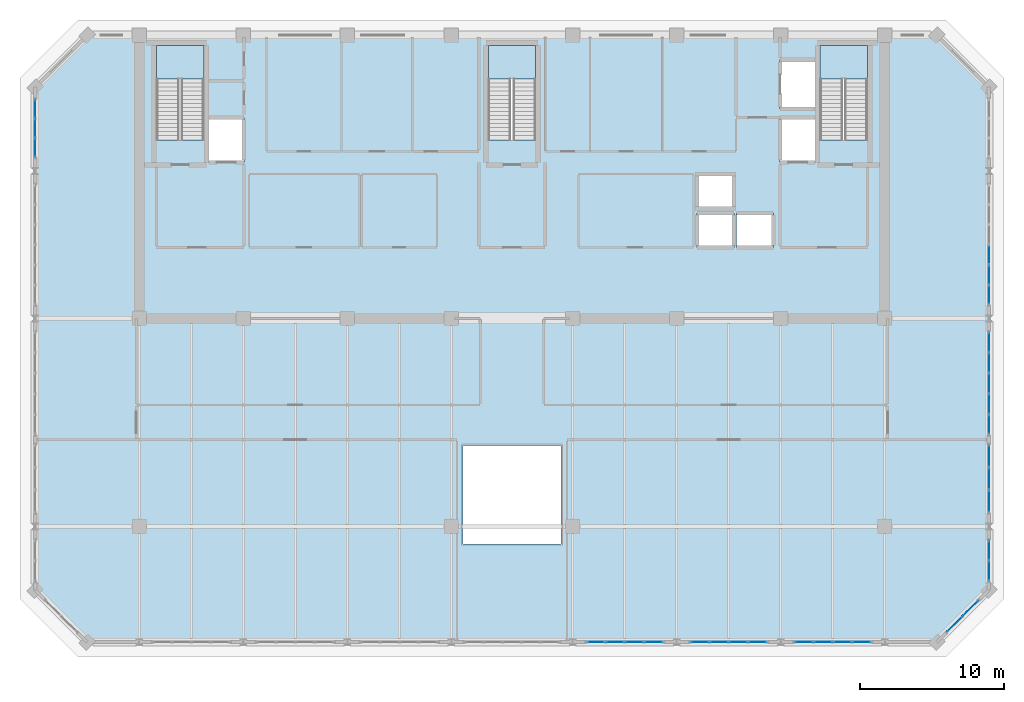
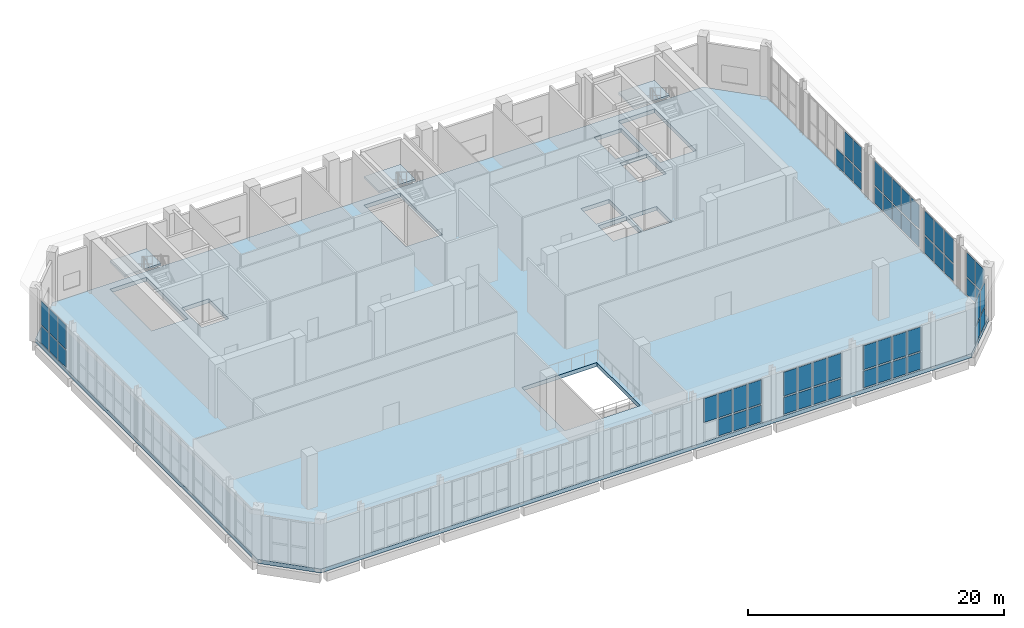
# One storey, part 18 of 26: 58 plates, 4 slabs, 12 elements without a shape of their own.
"""IFC4 building model written with IfcOpenShell, lengths in metres."""

from ifc_helpers import new_model, si_unit, direction, frame, origin, origin_2d, place, context, subcontext, project, spatial, polyline, rectangle, outline, extrude, material, layer, layer_set, type_object, element, aggregate, save


model = new_model("IFC4")

# Units and contexts
model_context = context("Model", 3, precision=1e-05, world=origin(), true_north=direction((0.0, 1.0)))
body_context = subcontext(model_context, "Body", "Model", "MODEL_VIEW")
ifc_project = project(units=[si_unit("LENGTHUNIT", "METRE"), si_unit("AREAUNIT", "SQUARE_METRE"), si_unit("VOLUMEUNIT", "CUBIC_METRE"), si_unit("PLANEANGLEUNIT", "RADIAN"), si_unit("MASSUNIT", "GRAM", prefix="KILO")], contexts=[model_context])

# Site, building, storey
site_placement = place(None, origin())
site = spatial("IfcSite", under=ifc_project, at=site_placement, CompositionType="ELEMENT")
building_placement = place(site_placement, origin())
building = spatial("IfcBuilding", under=site, at=building_placement, Name="Kaelvorn Grand Hotel", CompositionType="ELEMENT")
storey_placement = place(building_placement, frame((0.0, 0.0, 300.199951171875)))
storey = spatial("IfcBuildingStorey", under=building, at=storey_placement, Name="L73", CompositionType="ELEMENT", Elevation=300.199951171875)

# Curtain wall, plates
ifc_material_1 = material(Name="Anodised Aluminium", Category="aluminium")
ifc_layer_1 = layer(ifc_material_1, 0.239990234375)
ifc_layer_set_1 = layer_set([ifc_layer_1], Name="Anodised Aluminium")
curtain_wall_type = type_object("IfcCurtainWallType", Name="CW-SYS5", PredefinedType="NOTDEFINED", material=ifc_layer_set_1)
curtain_wall_1_placement = place(storey_placement, origin())
curtain_wall_1 = element("IfcCurtainWall", 1, at=curtain_wall_1_placement, inside=storey, type_object=curtain_wall_type, Name="L73 Unitised Curtain Wall CW5 (CW-L73-S-05)", PredefinedType="NOTDEFINED")
ifc_material_2 = material(Name="Laminated Low-E Glass", Category="glass")
ifc_layer_2 = layer(ifc_material_2, 0.0380859375)
ifc_layer_set_2 = layer_set([ifc_layer_2], Name="Laminated Low-E Glass")
plate_type = type_object("IfcPlateType", Name="CW-SYS5-PAN", PredefinedType="CURTAIN_PANEL", material=ifc_layer_set_2)
plate_1_placement = place(storey_placement, frame((47.81005859375, 7.0, 1.8896484375), z_axis=(0.0, 0.0, 1.0), x_axis=(1.0, 0.0, 0.0)))
plate_1 = element("IfcPlate", 2, at=plate_1_placement, type_object=plate_type, Name="CW5 panel 1.2", PredefinedType="CURTAIN_PANEL", context=body_context, shape_type="SweptSolid", body=[
    extrude(rectangle(XDim=1.219970703125, YDim=0.0380859375, at=origin_2d()), origin(), (0.0, 0.0, 1.0), 2.280517578125),
])
plate_2_placement = place(storey_placement, frame((49.1298828125, 7.0, 0.150146484375), z_axis=(0.0, 0.0, 1.0), x_axis=(1.0, 0.0, 0.0)))
plate_2 = element("IfcPlate", 3, at=plate_2_placement, type_object=plate_type, Name="CW5 panel 2.1", PredefinedType="CURTAIN_PANEL", context=body_context, shape_type="SweptSolid", body=[
    extrude(rectangle(XDim=1.260009765625, YDim=0.0380859375, at=origin_2d()), origin(), (0.0, 0.0, 1.0), 1.58935546875),
])
plate_3_placement = place(storey_placement, frame((49.1298828125, 7.0, 1.8896484375), z_axis=(0.0, 0.0, 1.0), x_axis=(1.0, 0.0, 0.0)))
plate_3 = element("IfcPlate", 4, at=plate_3_placement, type_object=plate_type, Name="CW5 panel 2.2", PredefinedType="CURTAIN_PANEL", context=body_context, shape_type="SweptSolid", body=[
    extrude(rectangle(XDim=1.260009765625, YDim=0.0380859375, at=origin_2d()), origin(), (0.0, 0.0, 1.0), 2.280517578125),
])
plate_4_placement = place(storey_placement, frame((50.469970703125, 7.0, 0.150146484375), z_axis=(0.0, 0.0, 1.0), x_axis=(1.0, 0.0, 0.0)))
plate_4 = element("IfcPlate", 5, at=plate_4_placement, type_object=plate_type, Name="CW5 panel 3.1", PredefinedType="CURTAIN_PANEL", context=body_context, shape_type="SweptSolid", body=[
    extrude(rectangle(XDim=1.260009765625, YDim=0.0380859375, at=origin_2d()), origin(), (0.0, 0.0, 1.0), 1.58935546875),
])
plate_5_placement = place(storey_placement, frame((50.469970703125, 7.0, 1.8896484375), z_axis=(0.0, 0.0, 1.0), x_axis=(1.0, 0.0, 0.0)))
plate_5 = element("IfcPlate", 6, at=plate_5_placement, type_object=plate_type, Name="CW5 panel 3.2", PredefinedType="CURTAIN_PANEL", context=body_context, shape_type="SweptSolid", body=[
    extrude(rectangle(XDim=1.260009765625, YDim=0.0380859375, at=origin_2d()), origin(), (0.0, 0.0, 1.0), 2.280517578125),
])
plate_6_placement = place(storey_placement, frame((51.7900390625, 7.0, 0.150146484375), z_axis=(0.0, 0.0, 1.0), x_axis=(1.0, 0.0, 0.0)))
plate_6 = element("IfcPlate", 7, at=plate_6_placement, type_object=plate_type, Name="CW5 panel 4.1", PredefinedType="CURTAIN_PANEL", context=body_context, shape_type="SweptSolid", body=[
    extrude(rectangle(XDim=1.219970703125, YDim=0.0380859375, at=origin_2d()), origin(), (0.0, 0.0, 1.0), 1.58935546875),
])
plate_7_placement = place(storey_placement, frame((51.7900390625, 7.0, 1.8896484375), z_axis=(0.0, 0.0, 1.0), x_axis=(1.0, 0.0, 0.0)))
plate_7 = element("IfcPlate", 8, at=plate_7_placement, type_object=plate_type, Name="CW5 panel 4.2", PredefinedType="CURTAIN_PANEL", context=body_context, shape_type="SweptSolid", body=[
    extrude(rectangle(XDim=1.219970703125, YDim=0.0380859375, at=origin_2d()), origin(), (0.0, 0.0, 1.0), 2.280517578125),
])
aggregate(curtain_wall_1, [plate_1, plate_2, plate_3, plate_4, plate_5, plate_6, plate_7])

curtain_wall_2_placement = place(storey_placement, origin())
curtain_wall_2 = element("IfcCurtainWall", 9, at=curtain_wall_2_placement, inside=storey, type_object=curtain_wall_type, Name="L73 Unitised Curtain Wall CW5 (CW-L73-S-06)", PredefinedType="NOTDEFINED")
plate_8_placement = place(storey_placement, frame((55.010009765625, 7.0, 0.150146484375), z_axis=(0.0, 0.0, 1.0), x_axis=(1.0, 0.0, 0.0)))
plate_8 = element("IfcPlate", 10, at=plate_8_placement, type_object=plate_type, Name="CW5 panel 1.1", PredefinedType="CURTAIN_PANEL", context=body_context, shape_type="SweptSolid", body=[
    extrude(rectangle(XDim=1.219970703125, YDim=0.0380859375, at=origin_2d()), origin(), (0.0, 0.0, 1.0), 1.58935546875),
])
plate_9_placement = place(storey_placement, frame((55.010009765625, 7.0, 1.8896484375), z_axis=(0.0, 0.0, 1.0), x_axis=(1.0, 0.0, 0.0)))
plate_9 = element("IfcPlate", 11, at=plate_9_placement, type_object=plate_type, Name="CW5 panel 1.2", PredefinedType="CURTAIN_PANEL", context=body_context, shape_type="SweptSolid", body=[
    extrude(rectangle(XDim=1.219970703125, YDim=0.0380859375, at=origin_2d()), origin(), (0.0, 0.0, 1.0), 2.280517578125),
])
plate_10_placement = place(storey_placement, frame((56.330078125, 7.0, 0.150146484375), z_axis=(0.0, 0.0, 1.0), x_axis=(1.0, 0.0, 0.0)))
plate_10 = element("IfcPlate", 12, at=plate_10_placement, type_object=plate_type, Name="CW5 panel 2.1", PredefinedType="CURTAIN_PANEL", context=body_context, shape_type="SweptSolid", body=[
    extrude(rectangle(XDim=1.260009765625, YDim=0.0380859375, at=origin_2d()), origin(), (0.0, 0.0, 1.0), 1.58935546875),
])
plate_11_placement = place(storey_placement, frame((56.330078125, 7.0, 1.8896484375), z_axis=(0.0, 0.0, 1.0), x_axis=(1.0, 0.0, 0.0)))
plate_11 = element("IfcPlate", 13, at=plate_11_placement, type_object=plate_type, Name="CW5 panel 2.2", PredefinedType="CURTAIN_PANEL", context=body_context, shape_type="SweptSolid", body=[
    extrude(rectangle(XDim=1.260009765625, YDim=0.0380859375, at=origin_2d()), origin(), (0.0, 0.0, 1.0), 2.280517578125),
])
plate_12_placement = place(storey_placement, frame((57.669921875, 7.0, 0.150146484375), z_axis=(0.0, 0.0, 1.0), x_axis=(1.0, 0.0, 0.0)))
plate_12 = element("IfcPlate", 14, at=plate_12_placement, type_object=plate_type, Name="CW5 panel 3.1", PredefinedType="CURTAIN_PANEL", context=body_context, shape_type="SweptSolid", body=[
    extrude(rectangle(XDim=1.260009765625, YDim=0.0380859375, at=origin_2d()), origin(), (0.0, 0.0, 1.0), 1.58935546875),
])
plate_13_placement = place(storey_placement, frame((57.669921875, 7.0, 1.8896484375), z_axis=(0.0, 0.0, 1.0), x_axis=(1.0, 0.0, 0.0)))
plate_13 = element("IfcPlate", 15, at=plate_13_placement, type_object=plate_type, Name="CW5 panel 3.2", PredefinedType="CURTAIN_PANEL", context=body_context, shape_type="SweptSolid", body=[
    extrude(rectangle(XDim=1.260009765625, YDim=0.0380859375, at=origin_2d()), origin(), (0.0, 0.0, 1.0), 2.280517578125),
])
plate_14_placement = place(storey_placement, frame((58.989990234375, 7.0, 0.150146484375), z_axis=(0.0, 0.0, 1.0), x_axis=(1.0, 0.0, 0.0)))
plate_14 = element("IfcPlate", 16, at=plate_14_placement, type_object=plate_type, Name="CW5 panel 4.1", PredefinedType="CURTAIN_PANEL", context=body_context, shape_type="SweptSolid", body=[
    extrude(rectangle(XDim=1.219970703125, YDim=0.0380859375, at=origin_2d()), origin(), (0.0, 0.0, 1.0), 1.58935546875),
])
plate_15_placement = place(storey_placement, frame((58.989990234375, 7.0, 1.8896484375), z_axis=(0.0, 0.0, 1.0), x_axis=(1.0, 0.0, 0.0)))
plate_15 = element("IfcPlate", 17, at=plate_15_placement, type_object=plate_type, Name="CW5 panel 4.2", PredefinedType="CURTAIN_PANEL", context=body_context, shape_type="SweptSolid", body=[
    extrude(rectangle(XDim=1.219970703125, YDim=0.0380859375, at=origin_2d()), origin(), (0.0, 0.0, 1.0), 2.280517578125),
])
aggregate(curtain_wall_2, [plate_8, plate_9, plate_10, plate_11, plate_12, plate_13, plate_14, plate_15])

curtain_wall_3_placement = place(storey_placement, origin())
curtain_wall_3 = element("IfcCurtainWall", 18, at=curtain_wall_3_placement, inside=storey, type_object=curtain_wall_type, Name="L73 Unitised Curtain Wall CW5 (CW-L73-S-07)", PredefinedType="NOTDEFINED")
plate_16_placement = place(storey_placement, frame((62.2099609375, 7.0, 0.150146484375), z_axis=(0.0, 0.0, 1.0), x_axis=(1.0, 0.0, 0.0)))
plate_16 = element("IfcPlate", 19, at=plate_16_placement, type_object=plate_type, Name="CW5 panel 1.1", PredefinedType="CURTAIN_PANEL", context=body_context, shape_type="SweptSolid", body=[
    extrude(rectangle(XDim=1.219970703125, YDim=0.0380859375, at=origin_2d()), origin(), (0.0, 0.0, 1.0), 1.58935546875),
])
plate_17_placement = place(storey_placement, frame((62.2099609375, 7.0, 1.8896484375), z_axis=(0.0, 0.0, 1.0), x_axis=(1.0, 0.0, 0.0)))
plate_17 = element("IfcPlate", 20, at=plate_17_placement, type_object=plate_type, Name="CW5 panel 1.2", PredefinedType="CURTAIN_PANEL", context=body_context, shape_type="SweptSolid", body=[
    extrude(rectangle(XDim=1.219970703125, YDim=0.0380859375, at=origin_2d()), origin(), (0.0, 0.0, 1.0), 2.280517578125),
])
plate_18_placement = place(storey_placement, frame((63.530029296875, 7.0, 0.150146484375), z_axis=(0.0, 0.0, 1.0), x_axis=(1.0, 0.0, 0.0)))
plate_18 = element("IfcPlate", 21, at=plate_18_placement, type_object=plate_type, Name="CW5 panel 2.1", PredefinedType="CURTAIN_PANEL", context=body_context, shape_type="SweptSolid", body=[
    extrude(rectangle(XDim=1.260009765625, YDim=0.0380859375, at=origin_2d()), origin(), (0.0, 0.0, 1.0), 1.58935546875),
])
plate_19_placement = place(storey_placement, frame((63.530029296875, 7.0, 1.8896484375), z_axis=(0.0, 0.0, 1.0), x_axis=(1.0, 0.0, 0.0)))
plate_19 = element("IfcPlate", 22, at=plate_19_placement, type_object=plate_type, Name="CW5 panel 2.2", PredefinedType="CURTAIN_PANEL", context=body_context, shape_type="SweptSolid", body=[
    extrude(rectangle(XDim=1.260009765625, YDim=0.0380859375, at=origin_2d()), origin(), (0.0, 0.0, 1.0), 2.280517578125),
])
plate_20_placement = place(storey_placement, frame((64.8701171875, 7.0, 0.150146484375), z_axis=(0.0, 0.0, 1.0), x_axis=(1.0, 0.0, 0.0)))
plate_20 = element("IfcPlate", 23, at=plate_20_placement, type_object=plate_type, Name="CW5 panel 3.1", PredefinedType="CURTAIN_PANEL", context=body_context, shape_type="SweptSolid", body=[
    extrude(rectangle(XDim=1.260009765625, YDim=0.0380859375, at=origin_2d()), origin(), (0.0, 0.0, 1.0), 1.58935546875),
])
plate_21_placement = place(storey_placement, frame((64.8701171875, 7.0, 1.8896484375), z_axis=(0.0, 0.0, 1.0), x_axis=(1.0, 0.0, 0.0)))
plate_21 = element("IfcPlate", 24, at=plate_21_placement, type_object=plate_type, Name="CW5 panel 3.2", PredefinedType="CURTAIN_PANEL", context=body_context, shape_type="SweptSolid", body=[
    extrude(rectangle(XDim=1.260009765625, YDim=0.0380859375, at=origin_2d()), origin(), (0.0, 0.0, 1.0), 2.280517578125),
])
plate_22_placement = place(storey_placement, frame((66.18994140625, 7.0, 0.150146484375), z_axis=(0.0, 0.0, 1.0), x_axis=(1.0, 0.0, 0.0)))
plate_22 = element("IfcPlate", 25, at=plate_22_placement, type_object=plate_type, Name="CW5 panel 4.1", PredefinedType="CURTAIN_PANEL", context=body_context, shape_type="SweptSolid", body=[
    extrude(rectangle(XDim=1.219970703125, YDim=0.0380859375, at=origin_2d()), origin(), (0.0, 0.0, 1.0), 1.58935546875),
])
plate_23_placement = place(storey_placement, frame((66.18994140625, 7.0, 1.8896484375), z_axis=(0.0, 0.0, 1.0), x_axis=(1.0, 0.0, 0.0)))
plate_23 = element("IfcPlate", 26, at=plate_23_placement, type_object=plate_type, Name="CW5 panel 4.2", PredefinedType="CURTAIN_PANEL", context=body_context, shape_type="SweptSolid", body=[
    extrude(rectangle(XDim=1.219970703125, YDim=0.0380859375, at=origin_2d()), origin(), (0.0, 0.0, 1.0), 2.280517578125),
])
aggregate(curtain_wall_3, [plate_16, plate_17, plate_18, plate_19, plate_20, plate_21, plate_22, plate_23])

curtain_wall_4_placement = place(storey_placement, origin())
curtain_wall_4 = element("IfcCurtainWall", 27, at=curtain_wall_4_placement, inside=storey, type_object=curtain_wall_type, Name="L73 Unitised Curtain Wall CW5 (CW-L73-SE)", PredefinedType="NOTDEFINED")
plate_24_placement = place(storey_placement, frame((72.66064453125, 8.2607421875, 0.150146484375), z_axis=(0.0, 0.0, 1.0), x_axis=(0.707106781187, 0.707106781187, 0.0)))
plate_24 = element("IfcPlate", 28, at=plate_24_placement, type_object=plate_type, Name="CW5 panel 1.1", PredefinedType="CURTAIN_PANEL", context=body_context, shape_type="SweptSolid", body=[
    extrude(rectangle(XDim=1.445556640625, YDim=0.0380859375, at=origin_2d()), origin(), (0.0, 0.0, 1.0), 1.58935546875),
])
plate_25_placement = place(storey_placement, frame((72.66064453125, 8.2607421875, 1.8896484375), z_axis=(0.0, 0.0, 1.0), x_axis=(0.707106781187, 0.707106781187, 0.0)))
plate_25 = element("IfcPlate", 29, at=plate_25_placement, type_object=plate_type, Name="CW5 panel 1.2", PredefinedType="CURTAIN_PANEL", context=body_context, shape_type="SweptSolid", body=[
    extrude(rectangle(XDim=1.445556640625, YDim=0.0380859375, at=origin_2d()), origin(), (0.0, 0.0, 1.0), 2.280517578125),
])
plate_26_placement = place(storey_placement, frame((73.739501953125, 9.33935546875, 0.150146484375), z_axis=(0.0, 0.0, 1.0), x_axis=(0.707106781187, 0.707106781187, 0.0)))
plate_26 = element("IfcPlate", 30, at=plate_26_placement, type_object=plate_type, Name="CW5 panel 2.1", PredefinedType="CURTAIN_PANEL", context=body_context, shape_type="SweptSolid", body=[
    extrude(rectangle(XDim=1.445556640625, YDim=0.0380859375, at=origin_2d()), origin(), (0.0, 0.0, 1.0), 1.58935546875),
])
plate_27_placement = place(storey_placement, frame((73.739501953125, 9.33935546875, 1.8896484375), z_axis=(0.0, 0.0, 1.0), x_axis=(0.707106781187, 0.707106781187, 0.0)))
plate_27 = element("IfcPlate", 31, at=plate_27_placement, type_object=plate_type, Name="CW5 panel 2.2", PredefinedType="CURTAIN_PANEL", context=body_context, shape_type="SweptSolid", body=[
    extrude(rectangle(XDim=1.445556640625, YDim=0.0380859375, at=origin_2d()), origin(), (0.0, 0.0, 1.0), 2.280517578125),
])
aggregate(curtain_wall_4, [plate_24, plate_25, plate_26, plate_27])

curtain_wall_5_placement = place(storey_placement, origin())
curtain_wall_5 = element("IfcCurtainWall", 32, at=curtain_wall_5_placement, inside=storey, type_object=curtain_wall_type, Name="L73 Unitised Curtain Wall CW5 (CW-L73-E-01)", PredefinedType="NOTDEFINED")
plate_28_placement = place(storey_placement, frame((75.0, 11.93994140625, 0.150146484375), z_axis=(0.0, 0.0, 1.0), x_axis=(0.0, 1.0, 0.0)))
plate_28 = element("IfcPlate", 33, at=plate_28_placement, type_object=plate_type, Name="CW5 panel 1.1", PredefinedType="CURTAIN_PANEL", context=body_context, shape_type="SweptSolid", body=[
    extrude(rectangle(XDim=1.320068359375, YDim=0.0380859375, at=origin_2d()), origin(), (0.0, 0.0, 1.0), 1.58935546875),
])
plate_29_placement = place(storey_placement, frame((75.0, 11.93994140625, 1.8896484375), z_axis=(0.0, 0.0, 1.0), x_axis=(0.0, 1.0, 0.0)))
plate_29 = element("IfcPlate", 34, at=plate_29_placement, type_object=plate_type, Name="CW5 panel 1.2", PredefinedType="CURTAIN_PANEL", context=body_context, shape_type="SweptSolid", body=[
    extrude(rectangle(XDim=1.320068359375, YDim=0.0380859375, at=origin_2d()), origin(), (0.0, 0.0, 1.0), 2.280517578125),
])
plate_30_placement = place(storey_placement, frame((75.0, 13.340087890625, 0.150146484375), z_axis=(0.0, 0.0, 1.0), x_axis=(0.0, 1.0, 0.0)))
plate_30 = element("IfcPlate", 35, at=plate_30_placement, type_object=plate_type, Name="CW5 panel 2.1", PredefinedType="CURTAIN_PANEL", context=body_context, shape_type="SweptSolid", body=[
    extrude(rectangle(XDim=1.320068359375, YDim=0.0380859375, at=origin_2d()), origin(), (0.0, 0.0, 1.0), 1.58935546875),
])
plate_31_placement = place(storey_placement, frame((75.0, 13.340087890625, 1.8896484375), z_axis=(0.0, 0.0, 1.0), x_axis=(0.0, 1.0, 0.0)))
plate_31 = element("IfcPlate", 36, at=plate_31_placement, type_object=plate_type, Name="CW5 panel 2.2", PredefinedType="CURTAIN_PANEL", context=body_context, shape_type="SweptSolid", body=[
    extrude(rectangle(XDim=1.320068359375, YDim=0.0380859375, at=origin_2d()), origin(), (0.0, 0.0, 1.0), 2.280517578125),
])
aggregate(curtain_wall_5, [plate_28, plate_29, plate_30, plate_31])

curtain_wall_6_placement = place(storey_placement, origin())
curtain_wall_6 = element("IfcCurtainWall", 37, at=curtain_wall_6_placement, inside=storey, type_object=curtain_wall_type, Name="L73 Unitised Curtain Wall CW5 (CW-L73-E-02)", PredefinedType="NOTDEFINED")
plate_32_placement = place(storey_placement, frame((75.0, 16.7333984375, 0.150146484375), z_axis=(0.0, 0.0, 1.0), x_axis=(0.0, 1.0, 0.0)))
plate_32 = element("IfcPlate", 38, at=plate_32_placement, type_object=plate_type, Name="CW5 panel 1.1", PredefinedType="CURTAIN_PANEL", context=body_context, shape_type="SweptSolid", body=[
    extrude(rectangle(XDim=1.466552734375, YDim=0.0380859375, at=origin_2d()), origin(), (0.0, 0.0, 1.0), 1.58935546875),
])
plate_33_placement = place(storey_placement, frame((75.0, 16.7333984375, 1.8896484375), z_axis=(0.0, 0.0, 1.0), x_axis=(0.0, 1.0, 0.0)))
plate_33 = element("IfcPlate", 39, at=plate_33_placement, type_object=plate_type, Name="CW5 panel 1.2", PredefinedType="CURTAIN_PANEL", context=body_context, shape_type="SweptSolid", body=[
    extrude(rectangle(XDim=1.466552734375, YDim=0.0380859375, at=origin_2d()), origin(), (0.0, 0.0, 1.0), 2.280517578125),
])
plate_34_placement = place(storey_placement, frame((75.0, 18.300048828125, 0.150146484375), z_axis=(0.0, 0.0, 1.0), x_axis=(0.0, 1.0, 0.0)))
plate_34 = element("IfcPlate", 40, at=plate_34_placement, type_object=plate_type, Name="CW5 panel 2.1", PredefinedType="CURTAIN_PANEL", context=body_context, shape_type="SweptSolid", body=[
    extrude(rectangle(XDim=1.506591796875, YDim=0.0380859375, at=origin_2d()), origin(), (0.0, 0.0, 1.0), 1.58935546875),
])
plate_35_placement = place(storey_placement, frame((75.0, 18.300048828125, 1.8896484375), z_axis=(0.0, 0.0, 1.0), x_axis=(0.0, 1.0, 0.0)))
plate_35 = element("IfcPlate", 41, at=plate_35_placement, type_object=plate_type, Name="CW5 panel 2.2", PredefinedType="CURTAIN_PANEL", context=body_context, shape_type="SweptSolid", body=[
    extrude(rectangle(XDim=1.506591796875, YDim=0.0380859375, at=origin_2d()), origin(), (0.0, 0.0, 1.0), 2.280517578125),
])
plate_36_placement = place(storey_placement, frame((75.0, 19.86669921875, 0.150146484375), z_axis=(0.0, 0.0, 1.0), x_axis=(0.0, 1.0, 0.0)))
plate_36 = element("IfcPlate", 42, at=plate_36_placement, type_object=plate_type, Name="CW5 panel 3.1", PredefinedType="CURTAIN_PANEL", context=body_context, shape_type="SweptSolid", body=[
    extrude(rectangle(XDim=1.466552734375, YDim=0.0380859375, at=origin_2d()), origin(), (0.0, 0.0, 1.0), 1.58935546875),
])
plate_37_placement = place(storey_placement, frame((75.0, 19.86669921875, 1.8896484375), z_axis=(0.0, 0.0, 1.0), x_axis=(0.0, 1.0, 0.0)))
plate_37 = element("IfcPlate", 43, at=plate_37_placement, type_object=plate_type, Name="CW5 panel 3.2", PredefinedType="CURTAIN_PANEL", context=body_context, shape_type="SweptSolid", body=[
    extrude(rectangle(XDim=1.466552734375, YDim=0.0380859375, at=origin_2d()), origin(), (0.0, 0.0, 1.0), 2.280517578125),
])
aggregate(curtain_wall_6, [plate_32, plate_33, plate_34, plate_35, plate_36, plate_37])

curtain_wall_7_placement = place(storey_placement, origin())
curtain_wall_7 = element("IfcCurtainWall", 44, at=curtain_wall_7_placement, inside=storey, type_object=curtain_wall_type, Name="L73 Unitised Curtain Wall CW5 (CW-L73-E-03)", PredefinedType="NOTDEFINED")
plate_38_placement = place(storey_placement, frame((75.0, 22.055908203125, 0.150146484375), z_axis=(0.0, 0.0, 1.0), x_axis=(0.0, 1.0, 0.0)))
plate_38 = element("IfcPlate", 45, at=plate_38_placement, type_object=plate_type, Name="CW5 panel 1.1", PredefinedType="CURTAIN_PANEL", context=body_context, shape_type="SweptSolid", body=[
    extrude(rectangle(XDim=1.31201171875, YDim=0.0380859375, at=origin_2d()), origin(), (0.0, 0.0, 1.0), 1.58935546875),
])
plate_39_placement = place(storey_placement, frame((75.0, 22.055908203125, 1.8896484375), z_axis=(0.0, 0.0, 1.0), x_axis=(0.0, 1.0, 0.0)))
plate_39 = element("IfcPlate", 46, at=plate_39_placement, type_object=plate_type, Name="CW5 panel 1.2", PredefinedType="CURTAIN_PANEL", context=body_context, shape_type="SweptSolid", body=[
    extrude(rectangle(XDim=1.31201171875, YDim=0.0380859375, at=origin_2d()), origin(), (0.0, 0.0, 1.0), 2.280517578125),
])
plate_40_placement = place(storey_placement, frame((75.0, 23.468017578125, 0.150146484375), z_axis=(0.0, 0.0, 1.0), x_axis=(0.0, 1.0, 0.0)))
plate_40 = element("IfcPlate", 47, at=plate_40_placement, type_object=plate_type, Name="CW5 panel 2.1", PredefinedType="CURTAIN_PANEL", context=body_context, shape_type="SweptSolid", body=[
    extrude(rectangle(XDim=1.35205078125, YDim=0.0380859375, at=origin_2d()), origin(), (0.0, 0.0, 1.0), 1.58935546875),
])
plate_41_placement = place(storey_placement, frame((75.0, 23.468017578125, 1.8896484375), z_axis=(0.0, 0.0, 1.0), x_axis=(0.0, 1.0, 0.0)))
plate_41 = element("IfcPlate", 48, at=plate_41_placement, type_object=plate_type, Name="CW5 panel 2.2", PredefinedType="CURTAIN_PANEL", context=body_context, shape_type="SweptSolid", body=[
    extrude(rectangle(XDim=1.35205078125, YDim=0.0380859375, at=origin_2d()), origin(), (0.0, 0.0, 1.0), 2.280517578125),
])
plate_42_placement = place(storey_placement, frame((75.0, 24.89990234375, 0.150146484375), z_axis=(0.0, 0.0, 1.0), x_axis=(0.0, 1.0, 0.0)))
plate_42 = element("IfcPlate", 49, at=plate_42_placement, type_object=plate_type, Name="CW5 panel 3.1", PredefinedType="CURTAIN_PANEL", context=body_context, shape_type="SweptSolid", body=[
    extrude(rectangle(XDim=1.35205078125, YDim=0.0380859375, at=origin_2d()), origin(), (0.0, 0.0, 1.0), 1.58935546875),
])
plate_43_placement = place(storey_placement, frame((75.0, 24.89990234375, 1.8896484375), z_axis=(0.0, 0.0, 1.0), x_axis=(0.0, 1.0, 0.0)))
plate_43 = element("IfcPlate", 50, at=plate_43_placement, type_object=plate_type, Name="CW5 panel 3.2", PredefinedType="CURTAIN_PANEL", context=body_context, shape_type="SweptSolid", body=[
    extrude(rectangle(XDim=1.35205078125, YDim=0.0380859375, at=origin_2d()), origin(), (0.0, 0.0, 1.0), 2.280517578125),
])
plate_44_placement = place(storey_placement, frame((75.0, 26.33203125, 0.150146484375), z_axis=(0.0, 0.0, 1.0), x_axis=(0.0, 1.0, 0.0)))
plate_44 = element("IfcPlate", 51, at=plate_44_placement, type_object=plate_type, Name="CW5 panel 4.1", PredefinedType="CURTAIN_PANEL", context=body_context, shape_type="SweptSolid", body=[
    extrude(rectangle(XDim=1.35205078125, YDim=0.0380859375, at=origin_2d()), origin(), (0.0, 0.0, 1.0), 1.58935546875),
])
plate_45_placement = place(storey_placement, frame((75.0, 26.33203125, 1.8896484375), z_axis=(0.0, 0.0, 1.0), x_axis=(0.0, 1.0, 0.0)))
plate_45 = element("IfcPlate", 52, at=plate_45_placement, type_object=plate_type, Name="CW5 panel 4.2", PredefinedType="CURTAIN_PANEL", context=body_context, shape_type="SweptSolid", body=[
    extrude(rectangle(XDim=1.35205078125, YDim=0.0380859375, at=origin_2d()), origin(), (0.0, 0.0, 1.0), 2.280517578125),
])
plate_46_placement = place(storey_placement, frame((75.0, 27.743896484375, 0.150146484375), z_axis=(0.0, 0.0, 1.0), x_axis=(0.0, 1.0, 0.0)))
plate_46 = element("IfcPlate", 53, at=plate_46_placement, type_object=plate_type, Name="CW5 panel 5.1", PredefinedType="CURTAIN_PANEL", context=body_context, shape_type="SweptSolid", body=[
    extrude(rectangle(XDim=1.31201171875, YDim=0.0380859375, at=origin_2d()), origin(), (0.0, 0.0, 1.0), 1.58935546875),
])
plate_47_placement = place(storey_placement, frame((75.0, 27.743896484375, 1.8896484375), z_axis=(0.0, 0.0, 1.0), x_axis=(0.0, 1.0, 0.0)))
plate_47 = element("IfcPlate", 54, at=plate_47_placement, type_object=plate_type, Name="CW5 panel 5.2", PredefinedType="CURTAIN_PANEL", context=body_context, shape_type="SweptSolid", body=[
    extrude(rectangle(XDim=1.31201171875, YDim=0.0380859375, at=origin_2d()), origin(), (0.0, 0.0, 1.0), 2.280517578125),
])
aggregate(curtain_wall_7, [plate_38, plate_39, plate_40, plate_41, plate_42, plate_43, plate_44, plate_45, plate_46, plate_47])

curtain_wall_8_placement = place(storey_placement, origin())
curtain_wall_8 = element("IfcCurtainWall", 55, at=curtain_wall_8_placement, inside=storey, type_object=curtain_wall_type, Name="L73 Unitised Curtain Wall CW5 (CW-L73-E-04)", PredefinedType="NOTDEFINED")
plate_48_placement = place(storey_placement, frame((75.0, 31.03662109375, 0.150146484375), z_axis=(0.0, 0.0, 1.0), x_axis=(0.0, 1.0, 0.0)))
plate_48 = element("IfcPlate", 56, at=plate_48_placement, type_object=plate_type, Name="CW5 panel 1.1", PredefinedType="CURTAIN_PANEL", context=body_context, shape_type="SweptSolid", body=[
    extrude(rectangle(XDim=1.2734375, YDim=0.0380859375, at=origin_2d()), origin(), (0.0, 0.0, 1.0), 1.58935546875),
])
plate_49_placement = place(storey_placement, frame((75.0, 31.03662109375, 1.8896484375), z_axis=(0.0, 0.0, 1.0), x_axis=(0.0, 1.0, 0.0)))
plate_49 = element("IfcPlate", 57, at=plate_49_placement, type_object=plate_type, Name="CW5 panel 1.2", PredefinedType="CURTAIN_PANEL", context=body_context, shape_type="SweptSolid", body=[
    extrude(rectangle(XDim=1.2734375, YDim=0.0380859375, at=origin_2d()), origin(), (0.0, 0.0, 1.0), 2.280517578125),
])
plate_50_placement = place(storey_placement, frame((75.0, 32.409912109375, 0.150146484375), z_axis=(0.0, 0.0, 1.0), x_axis=(0.0, 1.0, 0.0)))
plate_50 = element("IfcPlate", 58, at=plate_50_placement, type_object=plate_type, Name="CW5 panel 2.1", PredefinedType="CURTAIN_PANEL", context=body_context, shape_type="SweptSolid", body=[
    extrude(rectangle(XDim=1.313232421875, YDim=0.0380859375, at=origin_2d()), origin(), (0.0, 0.0, 1.0), 1.58935546875),
])
plate_51_placement = place(storey_placement, frame((75.0, 32.409912109375, 1.8896484375), z_axis=(0.0, 0.0, 1.0), x_axis=(0.0, 1.0, 0.0)))
plate_51 = element("IfcPlate", 59, at=plate_51_placement, type_object=plate_type, Name="CW5 panel 2.2", PredefinedType="CURTAIN_PANEL", context=body_context, shape_type="SweptSolid", body=[
    extrude(rectangle(XDim=1.313232421875, YDim=0.0380859375, at=origin_2d()), origin(), (0.0, 0.0, 1.0), 2.280517578125),
])
plate_52_placement = place(storey_placement, frame((75.0, 33.80322265625, 0.150146484375), z_axis=(0.0, 0.0, 1.0), x_axis=(0.0, 1.0, 0.0)))
plate_52 = element("IfcPlate", 60, at=plate_52_placement, type_object=plate_type, Name="CW5 panel 3.1", PredefinedType="CURTAIN_PANEL", context=body_context, shape_type="SweptSolid", body=[
    extrude(rectangle(XDim=1.313232421875, YDim=0.0380859375, at=origin_2d()), origin(), (0.0, 0.0, 1.0), 1.58935546875),
])
aggregate(curtain_wall_8, [plate_48, plate_49, plate_50, plate_51, plate_52])

curtain_wall_9_placement = place(storey_placement, origin())
curtain_wall_9 = element("IfcCurtainWall", 61, at=curtain_wall_9_placement, inside=storey, type_object=curtain_wall_type, Name="L73 Unitised Curtain Wall CW5 (CW-L73-W-05)", PredefinedType="NOTDEFINED")
plate_53_placement = place(storey_placement, frame((9.0, 43.89990234375, 0.150146484375), z_axis=(0.0, 0.0, 1.0), x_axis=(0.0, -1.0, 0.0)))
plate_53 = element("IfcPlate", 62, at=plate_53_placement, type_object=plate_type, Name="CW5 panel 1.1", PredefinedType="CURTAIN_PANEL", context=body_context, shape_type="SweptSolid", body=[
    extrude(rectangle(XDim=1.239990234375, YDim=0.0380859375, at=origin_2d()), origin(), (0.0, 0.0, 1.0), 1.58935546875),
])
plate_54_placement = place(storey_placement, frame((9.0, 43.89990234375, 1.8896484375), z_axis=(0.0, 0.0, 1.0), x_axis=(0.0, -1.0, 0.0)))
plate_54 = element("IfcPlate", 63, at=plate_54_placement, type_object=plate_type, Name="CW5 panel 1.2", PredefinedType="CURTAIN_PANEL", context=body_context, shape_type="SweptSolid", body=[
    extrude(rectangle(XDim=1.239990234375, YDim=0.0380859375, at=origin_2d()), origin(), (0.0, 0.0, 1.0), 2.280517578125),
])
plate_55_placement = place(storey_placement, frame((9.0, 42.56005859375, 0.150146484375), z_axis=(0.0, 0.0, 1.0), x_axis=(0.0, -1.0, 0.0)))
plate_55 = element("IfcPlate", 64, at=plate_55_placement, type_object=plate_type, Name="CW5 panel 2.1", PredefinedType="CURTAIN_PANEL", context=body_context, shape_type="SweptSolid", body=[
    extrude(rectangle(XDim=1.280029296875, YDim=0.0380859375, at=origin_2d()), origin(), (0.0, 0.0, 1.0), 1.58935546875),
])
plate_56_placement = place(storey_placement, frame((9.0, 42.56005859375, 1.8896484375), z_axis=(0.0, 0.0, 1.0), x_axis=(0.0, -1.0, 0.0)))
plate_56 = element("IfcPlate", 65, at=plate_56_placement, type_object=plate_type, Name="CW5 panel 2.2", PredefinedType="CURTAIN_PANEL", context=body_context, shape_type="SweptSolid", body=[
    extrude(rectangle(XDim=1.280029296875, YDim=0.0380859375, at=origin_2d()), origin(), (0.0, 0.0, 1.0), 2.280517578125),
])
plate_57_placement = place(storey_placement, frame((9.0, 41.219970703125, 0.150146484375), z_axis=(0.0, 0.0, 1.0), x_axis=(0.0, -1.0, 0.0)))
plate_57 = element("IfcPlate", 66, at=plate_57_placement, type_object=plate_type, Name="CW5 panel 3.1", PredefinedType="CURTAIN_PANEL", context=body_context, shape_type="SweptSolid", body=[
    extrude(rectangle(XDim=1.239990234375, YDim=0.0380859375, at=origin_2d()), origin(), (0.0, 0.0, 1.0), 1.58935546875),
])
plate_58_placement = place(storey_placement, frame((9.0, 41.219970703125, 1.8896484375), z_axis=(0.0, 0.0, 1.0), x_axis=(0.0, -1.0, 0.0)))
plate_58 = element("IfcPlate", 67, at=plate_58_placement, type_object=plate_type, Name="CW5 panel 3.2", PredefinedType="CURTAIN_PANEL", context=body_context, shape_type="SweptSolid", body=[
    extrude(rectangle(XDim=1.239990234375, YDim=0.0380859375, at=origin_2d()), origin(), (0.0, 0.0, 1.0), 2.280517578125),
])
aggregate(curtain_wall_9, [plate_53, plate_54, plate_55, plate_56, plate_57, plate_58])

# Slab
ifc_material_3 = material(Name="Concrete C50/60", Category="concrete")
ifc_layer_3 = layer(ifc_material_3, 0.3798828125)
ifc_layer_set_3 = layer_set([ifc_layer_3], Name="Concrete C50/60")
slab_type_1 = type_object("IfcSlabType", Name="SLB-FLR-380-C50", PredefinedType="FLOOR", material=ifc_layer_set_3)
slab_1_placement = place(storey_placement, frame((0.0, 0.0, -0.3798828125)))
element("IfcSlab", 68, at=slab_1_placement, inside=storey, type_object=slab_type_1, Name="L73 Indoor Suspended Floor Slab", PredefinedType="FLOOR", context=body_context, shape_type="SweptSolid", body=[
    extrude(outline(polyline([(12.60009765625, 7.0), (71.39990234375, 7.0), (75.0, 10.60009765625), (75.0, 45.39990234375), (71.39990234375, 49.0), (12.60009765625, 49.0), (9.0, 45.39990234375), (9.0, 10.60009765625), (12.60009765625, 7.0)]), holes=[polyline([(17.39990234375, 41.760009765625), (17.39990234375, 48.300048828125), (20.679931640625, 48.300048828125), (20.679931640625, 41.760009765625), (17.39990234375, 41.760009765625)]), polyline([(40.360107421875, 41.760009765625), (40.360107421875, 48.300048828125), (43.639892578125, 48.300048828125), (43.639892578125, 41.760009765625), (40.360107421875, 41.760009765625)]), polyline([(63.320068359375, 41.760009765625), (63.320068359375, 48.300048828125), (66.60009765625, 48.300048828125), (66.60009765625, 41.760009765625), (63.320068359375, 41.760009765625)]), polyline([(54.800048828125, 34.300048828125), (54.800048828125, 36.699951171875), (57.35009765625, 36.699951171875), (57.35009765625, 34.300048828125), (54.800048828125, 34.300048828125)]), polyline([(57.550048828125, 34.300048828125), (57.550048828125, 36.699951171875), (60.10009765625, 36.699951171875), (60.10009765625, 34.300048828125), (57.550048828125, 34.300048828125)]), polyline([(54.800048828125, 37.0), (54.800048828125, 39.39990234375), (57.35009765625, 39.39990234375), (57.35009765625, 37.0), (54.800048828125, 37.0)]), polyline([(21.0, 40.199951171875), (21.0, 43.300048828125), (23.449951171875, 43.300048828125), (23.449951171875, 40.199951171875), (21.0, 40.199951171875)]), polyline([(60.550048828125, 40.199951171875), (60.550048828125, 43.300048828125), (63.0, 43.300048828125), (63.0, 40.199951171875), (60.550048828125, 40.199951171875)]), polyline([(60.550048828125, 43.89990234375), (60.550048828125, 47.300048828125), (63.0, 47.300048828125), (63.0, 43.89990234375), (60.550048828125, 43.89990234375)]), polyline([(38.60009765625, 13.800048828125), (38.60009765625, 20.60009765625), (45.39990234375, 20.60009765625), (45.39990234375, 13.800048828125), (38.60009765625, 13.800048828125)])]), origin(), (0.0, 0.0, 1.0), 0.3798828125),
])

# Stair, slab
ifc_material_4 = material(Name="Concrete C40/50", Category="concrete")
stair_type = type_object("IfcStairType", Name="STR-DOG-1560-R11", PredefinedType="HALF_TURN_STAIR", material=ifc_material_4)
stair_1_placement = place(storey_placement, origin())
stair_1 = element("IfcStair", 69, at=stair_1_placement, inside=storey, type_object=stair_type, Name="L73 West Core Exit Stair ST1", PredefinedType="HALF_TURN_STAIR")
ifc_layer_4 = layer(ifc_material_4, 0.199951171875)
ifc_layer_set_4 = layer_set([ifc_layer_4], Name="Concrete C40/50")
slab_type_2 = type_object("IfcSlabType", Name="SLB-LAND-200-C40", PredefinedType="LANDING", material=ifc_layer_set_4)
slab_2_placement = place(storey_placement, frame((0.0, 0.0, 2.550048828125)))
slab_2 = element("IfcSlab", 70, at=slab_2_placement, type_object=slab_type_2, Name="ST1 landing 1", PredefinedType="LANDING", context=body_context, shape_type="SweptSolid", body=[
    extrude(outline(polyline([(20.679931640625, 45.9599609375), (20.679931640625, 48.300048828125), (17.39990234375, 48.300048828125), (17.39990234375, 45.9599609375), (20.679931640625, 45.9599609375)])), origin(), (0.0, 0.0, 1.0), 0.199951171875),
])
aggregate(stair_1, [slab_2])

stair_2_placement = place(storey_placement, origin())
stair_2 = element("IfcStair", 71, at=stair_2_placement, inside=storey, type_object=stair_type, Name="L73 Central Core Exit Stair ST2", PredefinedType="HALF_TURN_STAIR")
slab_3_placement = place(storey_placement, frame((0.0, 0.0, 2.550048828125)))
slab_3 = element("IfcSlab", 72, at=slab_3_placement, type_object=slab_type_2, Name="ST2 landing 1", PredefinedType="LANDING", context=body_context, shape_type="SweptSolid", body=[
    extrude(outline(polyline([(43.639892578125, 45.9599609375), (43.639892578125, 48.300048828125), (40.360107421875, 48.300048828125), (40.360107421875, 45.9599609375), (43.639892578125, 45.9599609375)])), origin(), (0.0, 0.0, 1.0), 0.199951171875),
])
aggregate(stair_2, [slab_3])

stair_3_placement = place(storey_placement, origin())
stair_3 = element("IfcStair", 73, at=stair_3_placement, inside=storey, type_object=stair_type, Name="L73 East Core Exit Stair ST3", PredefinedType="HALF_TURN_STAIR")
slab_4_placement = place(storey_placement, frame((0.0, 0.0, 2.550048828125)))
slab_4 = element("IfcSlab", 74, at=slab_4_placement, type_object=slab_type_2, Name="ST3 landing 1", PredefinedType="LANDING", context=body_context, shape_type="SweptSolid", body=[
    extrude(outline(polyline([(66.60009765625, 45.9599609375), (66.60009765625, 48.300048828125), (63.320068359375, 48.300048828125), (63.320068359375, 45.9599609375), (66.60009765625, 45.9599609375)])), origin(), (0.0, 0.0, 1.0), 0.199951171875),
])
aggregate(stair_3, [slab_4])

save(model, "model.ifc")
